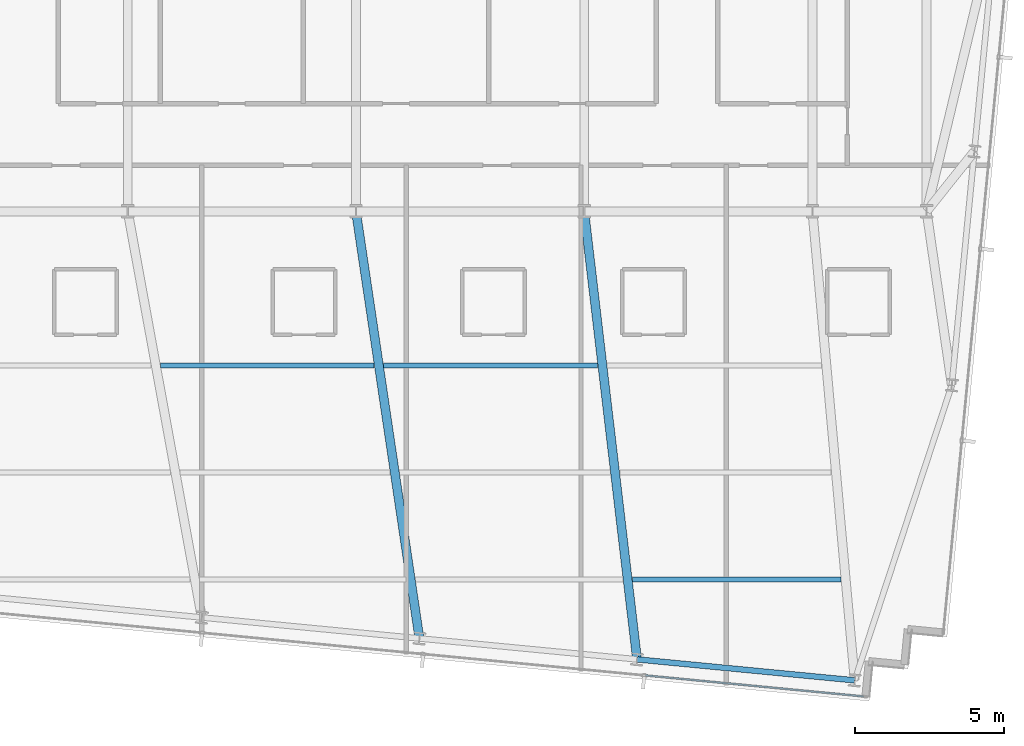
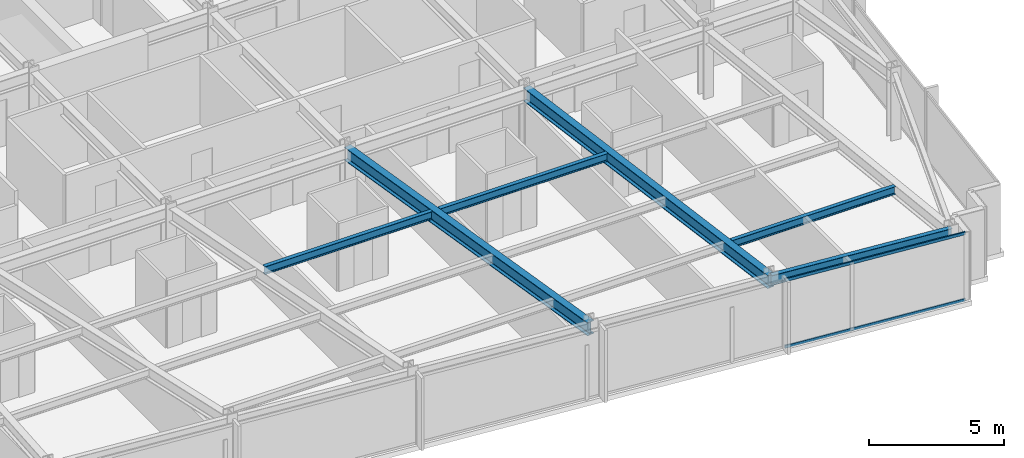
# One storey, part 13 of 38: 6 beams, 2 members, 1 element without a shape of its own.
"""IFC4 building model written with IfcOpenShell, lengths in metres."""

from ifc_helpers import new_model, si_unit, direction, frame, origin, origin_2d, place, context, subcontext, project, spatial, hollow_rectangle, i_section, extrude, material, material_profile, profile_set, type_object, element, aggregate, save


model = new_model("IFC4")

# Units and contexts
model_context = context("Model", 3, precision=1e-05, world=origin(), true_north=direction((0.0, 1.0)))
body_context = subcontext(model_context, "Body", "Model", "MODEL_VIEW")
ifc_project = project(units=[si_unit("LENGTHUNIT", "METRE"), si_unit("AREAUNIT", "SQUARE_METRE"), si_unit("VOLUMEUNIT", "CUBIC_METRE"), si_unit("PLANEANGLEUNIT", "RADIAN"), si_unit("MASSUNIT", "GRAM", prefix="KILO")], contexts=[model_context])

# Site, building, storey
site_placement = place(None, origin())
site = spatial("IfcSite", under=ifc_project, at=site_placement, CompositionType="ELEMENT")
building_placement = place(site_placement, origin())
building = spatial("IfcBuilding", under=site, at=building_placement, Name="Yelkora Congress Tower", CompositionType="ELEMENT")
storey_placement = place(building_placement, frame((0.0, 0.0, 172.10009765625)))
storey = spatial("IfcBuildingStorey", under=building, at=storey_placement, Name="L47", CompositionType="ELEMENT", Elevation=172.10009765625)

# Beams
ifc_material_1 = material(Name="Steel S355J2", Category="steel")
ifc_material_profile_1 = material_profile(ifc_material_1, i_section(OverallWidth=0.300048828125, OverallDepth=0.60009765625, WebThickness=0.015380859375, FlangeThickness=0.030029296875, FilletRadius=0.027099609375, at=origin_2d()), Name="HEB 600")
ifc_profile_set_1 = profile_set([ifc_material_profile_1], Name="Steel S355J2")
beam_type_1 = type_object("IfcBeamType", Name="BM-GIRD-HEB600", PredefinedType="BEAM", material=ifc_profile_set_1)
beam_1_placement = place(storey_placement, frame((40.53564453125, 10.83154296875, 2.77978515625), z_axis=(-0.147026183693, 0.989132600468, 0.0), x_axis=(-0.989132600468, -0.147026183693, 0.0)))
element("IfcBeam", 1, at=beam_1_placement, inside=storey, type_object=beam_type_1, Name="L47 Primary Frame Girder S06", PredefinedType="BEAM", context=body_context, shape_type="SweptSolid", body=[
    extrude(i_section(OverallWidth=0.300048828125, OverallDepth=0.60009765625, WebThickness=0.015380859375, FlangeThickness=0.030029296875, FilletRadius=0.027099609375, at=origin_2d()), origin(), (0.0, 0.0, 1.0), 14.5263671875),
])
beam_2_placement = place(storey_placement, frame((47.85888671875, 10.12646484375, 2.77978515625), z_axis=(-0.117195880411, 0.993108818617, 0.0), x_axis=(-0.993108818617, -0.117195880411, 0.0)))
element("IfcBeam", 2, at=beam_2_placement, inside=storey, type_object=beam_type_1, Name="L47 Primary Frame Girder S07", PredefinedType="BEAM", context=body_context, shape_type="SweptSolid", body=[
    extrude(i_section(OverallWidth=0.300048828125, OverallDepth=0.60009765625, WebThickness=0.015380859375, FlangeThickness=0.030029296875, FilletRadius=0.027099609375, at=origin_2d()), origin(), (0.0, 0.0, 1.0), 15.177978515625),
])
ifc_material_profile_2 = material_profile(ifc_material_1, i_section(OverallWidth=0.169921875, OverallDepth=0.360107421875, WebThickness=0.008056640625, FlangeThickness=0.0126953125, FilletRadius=0.01806640625, at=origin_2d()), Name="IPE 360")
ifc_profile_set_2 = profile_set([ifc_material_profile_2], Name="Steel S355J2")
beam_type_2 = type_object("IfcBeamType", Name="BM-JOIST-IPE360", PredefinedType="JOIST", material=ifc_profile_set_2)
beam_3_placement = place(storey_placement, frame((47.700927734375, 12.8212890625, 2.89990234375), z_axis=(1.0, 0.0, 0.0), x_axis=(0.0, 1.0, 0.0)))
element("IfcBeam", 3, at=beam_3_placement, inside=storey, type_object=beam_type_2, Name="L47 Composite Floor Joist 4", PredefinedType="JOIST", context=body_context, shape_type="SweptSolid", body=[
    extrude(i_section(OverallWidth=0.169921875, OverallDepth=0.360107421875, WebThickness=0.008056640625, FlangeThickness=0.0126953125, FilletRadius=0.01806640625, at=origin_2d()), origin(), (0.0, 0.0, 1.0), 7.014892578125),
])
beam_4_placement = place(storey_placement, frame((31.82470703125, 20.021240234375, 2.89990234375), z_axis=(1.0, 0.0, 0.0), x_axis=(0.0, 1.0, 0.0)))
element("IfcBeam", 4, at=beam_4_placement, inside=storey, type_object=beam_type_2, Name="L47 Composite Floor Joist 16", PredefinedType="JOIST", context=body_context, shape_type="SweptSolid", body=[
    extrude(i_section(OverallWidth=0.169921875, OverallDepth=0.360107421875, WebThickness=0.008056640625, FlangeThickness=0.0126953125, FilletRadius=0.01806640625, at=origin_2d()), origin(), (0.0, 0.0, 1.0), 7.18505859375),
])
beam_5_placement = place(storey_placement, frame((39.32958984375, 20.021240234375, 2.89990234375), z_axis=(1.0, 0.0, 0.0), x_axis=(0.0, 1.0, 0.0)))
element("IfcBeam", 5, at=beam_5_placement, inside=storey, type_object=beam_type_2, Name="L47 Composite Floor Joist 17", PredefinedType="JOIST", context=body_context, shape_type="SweptSolid", body=[
    extrude(i_section(OverallWidth=0.169921875, OverallDepth=0.360107421875, WebThickness=0.008056640625, FlangeThickness=0.0126953125, FilletRadius=0.01806640625, at=origin_2d()), origin(), (0.0, 0.0, 1.0), 7.20166015625),
])
ifc_material_profile_3 = material_profile(ifc_material_1, i_section(OverallWidth=0.18994140625, OverallDepth=0.449951171875, WebThickness=0.009521484375, FlangeThickness=0.0146484375, FilletRadius=0.02099609375, at=origin_2d()), Name="IPE 450")
ifc_profile_set_3 = profile_set([ifc_material_profile_3], Name="Steel S355J2")
beam_type_3 = type_object("IfcBeamType", Name="BM-SPAN-IPE450", PredefinedType="SPANDREL", material=ifc_profile_set_3)
beam_6_placement = place(storey_placement, frame((47.85888671875, 10.12646484375, 2.85498046875), z_axis=(0.995393938538, -0.095869218844, 0.0), x_axis=(0.095869218844, 0.995393938538, 0.0)))
element("IfcBeam", 6, at=beam_6_placement, inside=storey, type_object=beam_type_3, Name="L47 Perimeter Beam 8", PredefinedType="SPANDREL", context=body_context, shape_type="SweptSolid", body=[
    extrude(i_section(OverallWidth=0.18994140625, OverallDepth=0.449951171875, WebThickness=0.009521484375, FlangeThickness=0.0146484375, FilletRadius=0.02099609375, at=origin_2d()), origin(), (0.0, 0.0, 1.0), 7.357177734375),
])

# Curtain wall, members
ifc_material_2 = material(Name="Anodised aluminium and insulated glass", Category="aluminium")
curtain_wall_type = type_object("IfcCurtainWallType", Name="CW-SYS-B3", PredefinedType="NOTDEFINED", material=ifc_material_2)
curtain_wall_placement = place(storey_placement, origin())
curtain_wall = element("IfcCurtainWall", 7, at=curtain_wall_placement, inside=storey, type_object=curtain_wall_type, Name="L47 Unitised Curtain Wall 20", PredefinedType="NOTDEFINED")
ifc_material_3 = material(Name="Anodised aluminium 6063-T6", Category="aluminium")
ifc_material_profile_4 = material_profile(ifc_material_3, hollow_rectangle(XDim=0.06005859375, YDim=0.1298828125, WallThickness=0.00390625, at=origin_2d()), Name="ALU 60x130x4")
ifc_profile_set_4 = profile_set([ifc_material_profile_4], Name="Anodised aluminium 6063-T6")
member_type = type_object("IfcMemberType", Name="MEM-TR-B3", PredefinedType="USERDEFINED", material=ifc_profile_set_4)
member_1_placement = place(storey_placement, frame((55.4716796875, 8.881103515625, 0.02978515625), z_axis=(-0.995396212442, 0.095845606344, 0.0), x_axis=(-0.095845606344, -0.995396212442, 0.0)))
member_1 = element("IfcMember", 8, at=member_1_placement, type_object=member_type, Name="CW-B3 transom 1.1", ObjectType="TRANSOM", PredefinedType="USERDEFINED", context=body_context, shape_type="SweptSolid", body=[
    extrude(hollow_rectangle(XDim=0.06005859375, YDim=0.1298828125, WallThickness=0.00390625, at=origin_2d()), origin(), (0.0, 0.0, 1.0), 7.369140625),
])
member_2_placement = place(storey_placement, frame((55.4716796875, 8.881103515625, 3.0498046875), z_axis=(-0.995396212442, 0.095845606344, 0.0), x_axis=(-0.095845606344, -0.995396212442, 0.0)))
member_2 = element("IfcMember", 9, at=member_2_placement, type_object=member_type, Name="CW-B3 transom 1.2", ObjectType="TRANSOM", PredefinedType="USERDEFINED", context=body_context, shape_type="SweptSolid", body=[
    extrude(hollow_rectangle(XDim=0.06005859375, YDim=0.1298828125, WallThickness=0.00390625, at=origin_2d()), origin(), (0.0, 0.0, 1.0), 7.369140625),
])
aggregate(curtain_wall, [member_1, member_2])

save(model, "model.ifc")
